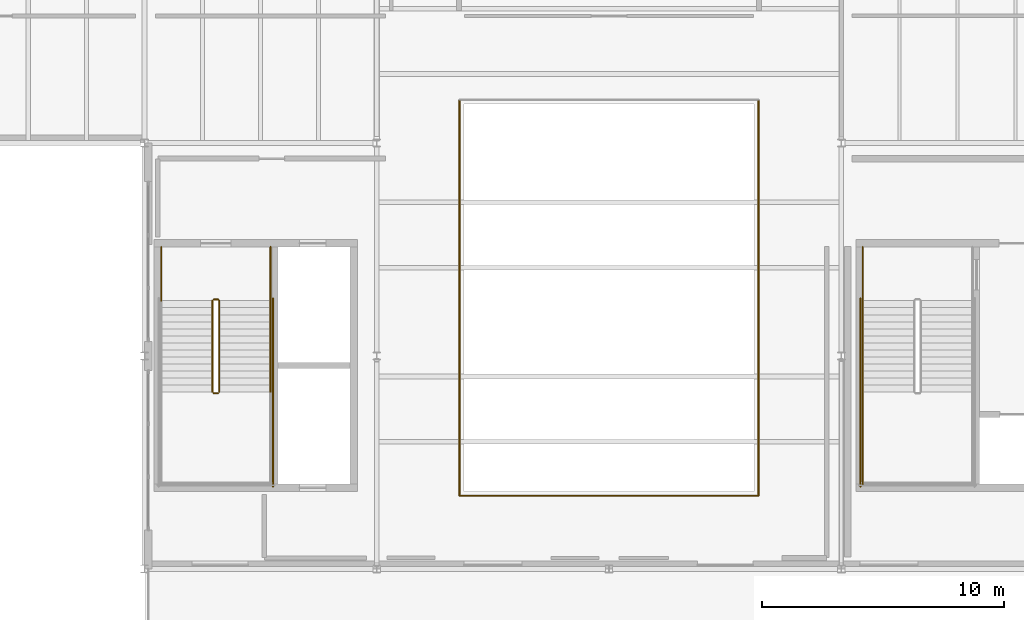
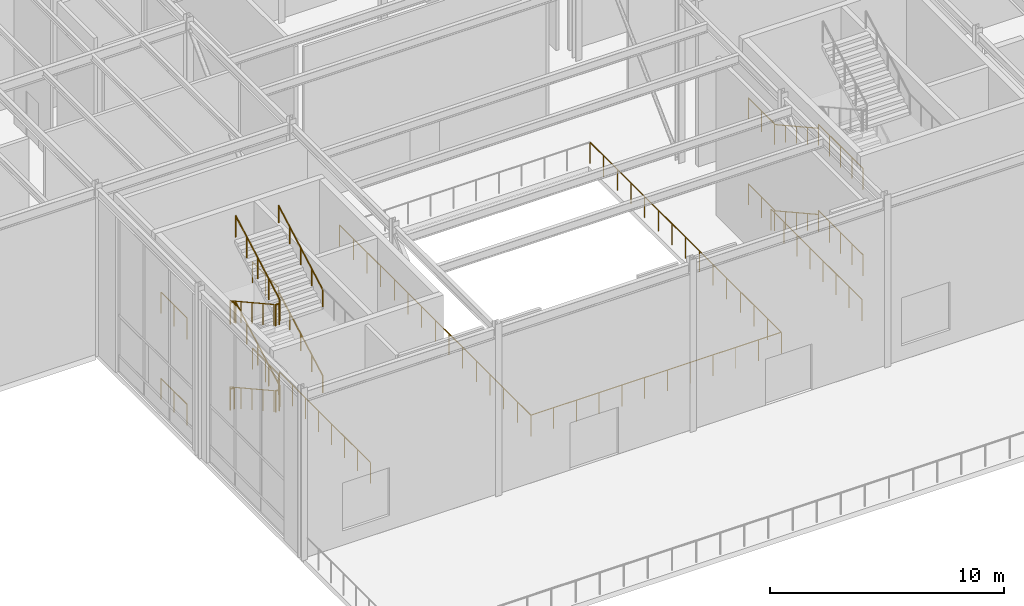
# One storey, part 43 of 48: 25 railings.
"""IFC4 building model written with IfcOpenShell, lengths in metres."""

from ifc_helpers import new_model, si_unit, direction, frame, origin, origin_2d, place, context, subcontext, project, spatial, circle, extrude, material, layer, layer_set, type_object, element, save


model = new_model("IFC4")

# Units and contexts
model_context = context("Model", 3, precision=1e-05, world=origin(), true_north=direction((0.0, 1.0)))
body_context = subcontext(model_context, "Body", "Model", "MODEL_VIEW")
ifc_project = project(units=[si_unit("LENGTHUNIT", "METRE"), si_unit("AREAUNIT", "SQUARE_METRE"), si_unit("VOLUMEUNIT", "CUBIC_METRE"), si_unit("PLANEANGLEUNIT", "RADIAN"), si_unit("MASSUNIT", "GRAM", prefix="KILO")], contexts=[model_context])

# Site, building, storey
site_placement = place(None, origin())
site = spatial("IfcSite", under=ifc_project, at=site_placement, CompositionType="ELEMENT")
building_placement = place(site_placement, origin())
building = spatial("IfcBuilding", under=site, at=building_placement, Name="Sarnbrook Museum", CompositionType="ELEMENT")
storey_placement = place(building_placement, frame((0.0, 0.0, 19.10009765625)))
storey = spatial("IfcBuildingStorey", under=building, at=storey_placement, Name="L04", CompositionType="ELEMENT", Elevation=19.10009765625)

# Railings
ifc_material = material(Name="Brushed Stainless Steel Grade 316", Category="steel")
ifc_layer_1 = layer(ifc_material, 0.050048828125)
ifc_layer_set_1 = layer_set([ifc_layer_1], Name="Brushed Stainless Steel Grade 316")
railing_type_1 = type_object("IfcRailingType", Name="Guard_Int1120", PredefinedType="BALUSTRADE", material=ifc_layer_set_1)
railing_1_placement = place(storey_placement, frame((110.489990234375, 64.110107421875, 2.25)))
element("IfcRailing", 1, at=railing_1_placement, inside=storey, type_object=railing_type_1, Name="L04 ST1 stair guard 3", PredefinedType="BALUSTRADE", context=body_context, shape_type="SweptSolid", body=[
    extrude(circle(Radius=0.02392578125, at=origin_2d()), frame((0.0, 0.0, 1.09619140625), z_axis=(0.0, -1.0, 0.0), x_axis=(1.0, 0.0, 0.0)), (0.0, 0.0, 1.0), 3.81005859375),
    extrude(circle(Radius=0.02099609375, at=origin_2d()), origin(), (0.0, 0.0, 1.0), 1.072021484375),
    extrude(circle(Radius=0.02099609375, at=origin_2d()), frame((0.0, -0.95263671875, 0.0)), (0.0, 0.0, 1.0), 1.072021484375),
    extrude(circle(Radius=0.02099609375, at=origin_2d()), frame((0.0, -1.905029296875, 0.0)), (0.0, 0.0, 1.0), 1.072021484375),
    extrude(circle(Radius=0.02099609375, at=origin_2d()), frame((0.0, -2.857421875, 0.0)), (0.0, 0.0, 1.0), 1.072021484375),
    extrude(circle(Radius=0.02099609375, at=origin_2d()), frame((0.0, -3.81005859375, 0.0)), (0.0, 0.0, 1.0), 1.072021484375),
])
railing_2_placement = place(storey_placement, frame((110.489990234375, 70.10009765625, 4.5)))
element("IfcRailing", 2, at=railing_2_placement, inside=storey, type_object=railing_type_1, Name="L04 ST1 stair guard 8", PredefinedType="BALUSTRADE", context=body_context, shape_type="SweptSolid", body=[
    extrude(circle(Radius=0.02392578125, at=origin_2d()), frame((0.0, 0.0, 1.09619140625), z_axis=(0.0, -1.0, 0.0), x_axis=(1.0, 0.0, 0.0)), (0.0, 0.0, 1.0), 2.22021484375),
    extrude(circle(Radius=0.02099609375, at=origin_2d()), origin(), (0.0, 0.0, 1.0), 1.072021484375),
    extrude(circle(Radius=0.02099609375, at=origin_2d()), frame((0.0, -1.110107421875, 0.0)), (0.0, 0.0, 1.0), 1.072021484375),
    extrude(circle(Radius=0.02099609375, at=origin_2d()), frame((0.0, -2.22021484375, 0.0)), (0.0, 0.0, 1.0), 1.072021484375),
])
railing_3_placement = place(storey_placement, frame((110.489990234375, 64.110107421875, 6.75)))
element("IfcRailing", 3, at=railing_3_placement, inside=storey, type_object=railing_type_1, Name="L04 ST1 stair guard 12", PredefinedType="BALUSTRADE", context=body_context, shape_type="SweptSolid", body=[
    extrude(circle(Radius=0.02392578125, at=origin_2d()), frame((0.0, 0.0, 1.09619140625), z_axis=(0.0, -1.0, 0.0), x_axis=(1.0, 0.0, 0.0)), (0.0, 0.0, 1.0), 3.81005859375),
    extrude(circle(Radius=0.02099609375, at=origin_2d()), origin(), (0.0, 0.0, 1.0), 1.072021484375),
    extrude(circle(Radius=0.02099609375, at=origin_2d()), frame((0.0, -0.95263671875, 0.0)), (0.0, 0.0, 1.0), 1.072021484375),
    extrude(circle(Radius=0.02099609375, at=origin_2d()), frame((0.0, -1.905029296875, 0.0)), (0.0, 0.0, 1.0), 1.072021484375),
    extrude(circle(Radius=0.02099609375, at=origin_2d()), frame((0.0, -2.857421875, 0.0)), (0.0, 0.0, 1.0), 1.072021484375),
    extrude(circle(Radius=0.02099609375, at=origin_2d()), frame((0.0, -3.81005859375, 0.0)), (0.0, 0.0, 1.0), 1.072021484375),
])
railing_4_placement = place(storey_placement, frame((110.489990234375, 70.10009765625, 0.0)))
element("IfcRailing", 4, at=railing_4_placement, inside=storey, type_object=railing_type_1, Name="L04 ST1 stair guard 17", PredefinedType="BALUSTRADE", context=body_context, shape_type="SweptSolid", body=[
    extrude(circle(Radius=0.02392578125, at=origin_2d()), frame((0.0, 0.0, 1.09619140625), z_axis=(0.0, -1.0, 0.0), x_axis=(1.0, 0.0, 0.0)), (0.0, 0.0, 1.0), 2.22021484375),
    extrude(circle(Radius=0.02099609375, at=origin_2d()), origin(), (0.0, 0.0, 1.0), 1.072021484375),
    extrude(circle(Radius=0.02099609375, at=origin_2d()), frame((0.0, -1.110107421875, 0.0)), (0.0, 0.0, 1.0), 1.072021484375),
    extrude(circle(Radius=0.02099609375, at=origin_2d()), frame((0.0, -2.22021484375, 0.0)), (0.0, 0.0, 1.0), 1.072021484375),
])
railing_5_placement = place(storey_placement, frame((110.389892578125, 67.97998046875, 0.0)))
element("IfcRailing", 5, at=railing_5_placement, inside=storey, type_object=railing_type_1, Name="L04 ST1 stair guard 19", PredefinedType="BALUSTRADE", context=body_context, shape_type="SweptSolid", body=[
    extrude(circle(Radius=0.02392578125, at=origin_2d()), frame((0.0, 0.0, 1.09619140625), z_axis=(0.0, -1.0, 0.0), x_axis=(1.0, 0.0, 0.0)), (0.0, 0.0, 1.0), 7.780029296875),
    extrude(circle(Radius=0.02099609375, at=origin_2d()), origin(), (0.0, 0.0, 1.0), 1.072021484375),
    extrude(circle(Radius=0.02099609375, at=origin_2d()), frame((0.0, -1.111328125, 0.0)), (0.0, 0.0, 1.0), 1.072021484375),
    extrude(circle(Radius=0.02099609375, at=origin_2d()), frame((0.0, -2.222900390625, 0.0)), (0.0, 0.0, 1.0), 1.072021484375),
    extrude(circle(Radius=0.02099609375, at=origin_2d()), frame((0.0, -3.334228515625, 0.0)), (0.0, 0.0, 1.0), 1.072021484375),
    extrude(circle(Radius=0.02099609375, at=origin_2d()), frame((0.0, -4.44580078125, 0.0)), (0.0, 0.0, 1.0), 1.072021484375),
    extrude(circle(Radius=0.02099609375, at=origin_2d()), frame((0.0, -5.55712890625, 0.0)), (0.0, 0.0, 1.0), 1.072021484375),
    extrude(circle(Radius=0.02099609375, at=origin_2d()), frame((0.0, -6.668701171875, 0.0)), (0.0, 0.0, 1.0), 1.072021484375),
    extrude(circle(Radius=0.02099609375, at=origin_2d()), frame((0.0, -7.780029296875, 0.0)), (0.0, 0.0, 1.0), 1.072021484375),
])
railing_6_placement = place(storey_placement, frame((83.610107421875, 67.8798828125, 0.16064453125)))
element("IfcRailing", 6, at=railing_6_placement, inside=storey, type_object=railing_type_1, Name="L04 ST3 stair guard 1", PredefinedType="BALUSTRADE", context=body_context, shape_type="SweptSolid", body=[
    extrude(circle(Radius=0.02392578125, at=origin_2d()), frame((0.0, 0.0, 1.09619140625), z_axis=(0.0, -0.874645791573, 0.484762559697), x_axis=(1.0, 0.0, 0.0)), (0.0, 0.0, 1.0), 4.31005859375),
    extrude(circle(Radius=0.02099609375, at=origin_2d()), origin(), (0.0, 0.0, 1.0), 1.072021484375),
    extrude(circle(Radius=0.02099609375, at=origin_2d()), frame((0.0, -0.9423828125, 0.5224609375)), (0.0, 0.0, 1.0), 1.072021484375),
    extrude(circle(Radius=0.02099609375, at=origin_2d()), frame((0.0, -1.884765625, 1.044677734375)), (0.0, 0.0, 1.0), 1.072021484375),
    extrude(circle(Radius=0.02099609375, at=origin_2d()), frame((0.0, -2.827392578125, 1.56689453125)), (0.0, 0.0, 1.0), 1.072021484375),
    extrude(circle(Radius=0.02099609375, at=origin_2d()), frame((0.0, -3.769775390625, 2.08935546875)), (0.0, 0.0, 1.0), 1.072021484375),
])
railing_7_placement = place(storey_placement, frame((83.659912109375, 64.06005859375, 2.25)))
element("IfcRailing", 7, at=railing_7_placement, inside=storey, type_object=railing_type_1, Name="L04 ST3 stair guard 2", PredefinedType="BALUSTRADE", context=body_context, shape_type="SweptSolid", body=[
    extrude(circle(Radius=0.02392578125, at=origin_2d()), frame((0.0, 0.0, 1.09619140625), z_axis=(1.0, 0.0, 0.0), x_axis=(0.0, 1.0, 0.0)), (0.0, 0.0, 1.0), 0.18017578125),
    extrude(circle(Radius=0.02099609375, at=origin_2d()), origin(), (0.0, 0.0, 1.0), 1.072021484375),
    extrude(circle(Radius=0.02099609375, at=origin_2d()), frame((0.18017578125, 0.0, 0.0)), (0.0, 0.0, 1.0), 1.072021484375),
])
railing_8_placement = place(storey_placement, frame((83.889892578125, 64.110107421875, 2.41064453125)))
element("IfcRailing", 8, at=railing_8_placement, inside=storey, type_object=railing_type_1, Name="L04 ST3 stair guard 6", PredefinedType="BALUSTRADE", context=body_context, shape_type="SweptSolid", body=[
    extrude(circle(Radius=0.02392578125, at=origin_2d()), frame((0.0, 0.0, 1.09619140625), z_axis=(0.0, 0.874645791573, 0.484762559697), x_axis=(-1.0, 0.0, 0.0)), (0.0, 0.0, 1.0), 4.31005859375),
    extrude(circle(Radius=0.02099609375, at=origin_2d()), origin(), (0.0, 0.0, 1.0), 1.072021484375),
    extrude(circle(Radius=0.02099609375, at=origin_2d()), frame((0.0, 0.9423828125, 0.5224609375)), (0.0, 0.0, 1.0), 1.072021484375),
    extrude(circle(Radius=0.02099609375, at=origin_2d()), frame((0.0, 1.884765625, 1.044677734375)), (0.0, 0.0, 1.0), 1.072021484375),
    extrude(circle(Radius=0.02099609375, at=origin_2d()), frame((0.0, 2.827392578125, 1.56689453125)), (0.0, 0.0, 1.0), 1.072021484375),
    extrude(circle(Radius=0.02099609375, at=origin_2d()), frame((0.0, 3.769775390625, 2.08935546875)), (0.0, 0.0, 1.0), 1.072021484375),
])
railing_9_placement = place(storey_placement, frame((83.659912109375, 67.929931640625, 4.5)))
element("IfcRailing", 9, at=railing_9_placement, inside=storey, type_object=railing_type_1, Name="L04 ST3 stair guard 7", PredefinedType="BALUSTRADE", context=body_context, shape_type="SweptSolid", body=[
    extrude(circle(Radius=0.02392578125, at=origin_2d()), frame((0.0, 0.0, 1.09619140625), z_axis=(1.0, 0.0, 0.0), x_axis=(0.0, 1.0, 0.0)), (0.0, 0.0, 1.0), 0.18017578125),
    extrude(circle(Radius=0.02099609375, at=origin_2d()), origin(), (0.0, 0.0, 1.0), 1.072021484375),
    extrude(circle(Radius=0.02099609375, at=origin_2d()), frame((0.18017578125, 0.0, 0.0)), (0.0, 0.0, 1.0), 1.072021484375),
])
for number, where, name in (
    (10, (81.489990234375, 70.10009765625, 4.5), "L04 ST3 stair guard 8"),
    (11, (86.010009765625, 70.10009765625, 4.5), "L04 ST3 stair guard 9"),
):
    element("IfcRailing", number, at=place(storey_placement, frame(where)), inside=storey, type_object=railing_type_1, Name=name, PredefinedType="BALUSTRADE", context=body_context, shape_type="SweptSolid", body=[
        extrude(circle(Radius=0.02392578125, at=origin_2d()), frame((0.0, 0.0, 1.09619140625), z_axis=(0.0, -1.0, 0.0), x_axis=(1.0, 0.0, 0.0)), (0.0, 0.0, 1.0), 2.22021484375),
        extrude(circle(Radius=0.02099609375, at=origin_2d()), origin(), (0.0, 0.0, 1.0), 1.072021484375),
        extrude(circle(Radius=0.02099609375, at=origin_2d()), frame((0.0, -1.110107421875, 0.0)), (0.0, 0.0, 1.0), 1.072021484375),
        extrude(circle(Radius=0.02099609375, at=origin_2d()), frame((0.0, -2.22021484375, 0.0)), (0.0, 0.0, 1.0), 1.072021484375),
    ])
railing_10_placement = place(storey_placement, frame((83.610107421875, 67.8798828125, 4.66064453125)))
element("IfcRailing", 12, at=railing_10_placement, inside=storey, type_object=railing_type_1, Name="L04 ST3 stair guard 10", PredefinedType="BALUSTRADE", context=body_context, shape_type="SweptSolid", body=[
    extrude(circle(Radius=0.02392578125, at=origin_2d()), frame((0.0, 0.0, 1.09619140625), z_axis=(0.0, -0.874645791573, 0.484762559697), x_axis=(1.0, 0.0, 0.0)), (0.0, 0.0, 1.0), 4.31005859375),
    extrude(circle(Radius=0.02099609375, at=origin_2d()), origin(), (0.0, 0.0, 1.0), 1.072021484375),
    extrude(circle(Radius=0.02099609375, at=origin_2d()), frame((0.0, -0.9423828125, 0.5224609375)), (0.0, 0.0, 1.0), 1.072021484375),
    extrude(circle(Radius=0.02099609375, at=origin_2d()), frame((0.0, -1.884765625, 1.044677734375)), (0.0, 0.0, 1.0), 1.072021484375),
    extrude(circle(Radius=0.02099609375, at=origin_2d()), frame((0.0, -2.827392578125, 1.56689453125)), (0.0, 0.0, 1.0), 1.072021484375),
    extrude(circle(Radius=0.02099609375, at=origin_2d()), frame((0.0, -3.769775390625, 2.08935546875)), (0.0, 0.0, 1.0), 1.072021484375),
])
railing_11_placement = place(storey_placement, frame((83.659912109375, 64.06005859375, 6.75)))
element("IfcRailing", 13, at=railing_11_placement, inside=storey, type_object=railing_type_1, Name="L04 ST3 stair guard 11", PredefinedType="BALUSTRADE", context=body_context, shape_type="SweptSolid", body=[
    extrude(circle(Radius=0.02392578125, at=origin_2d()), frame((0.0, 0.0, 1.09619140625), z_axis=(1.0, 0.0, 0.0), x_axis=(0.0, 1.0, 0.0)), (0.0, 0.0, 1.0), 0.18017578125),
    extrude(circle(Radius=0.02099609375, at=origin_2d()), origin(), (0.0, 0.0, 1.0), 1.072021484375),
    extrude(circle(Radius=0.02099609375, at=origin_2d()), frame((0.18017578125, 0.0, 0.0)), (0.0, 0.0, 1.0), 1.072021484375),
])
railing_12_placement = place(storey_placement, frame((83.889892578125, 64.110107421875, 6.91064453125)))
element("IfcRailing", 14, at=railing_12_placement, inside=storey, type_object=railing_type_1, Name="L04 ST3 stair guard 15", PredefinedType="BALUSTRADE", context=body_context, shape_type="SweptSolid", body=[
    extrude(circle(Radius=0.02392578125, at=origin_2d()), frame((0.0, 0.0, 1.09619140625), z_axis=(0.0, 0.874645791573, 0.484762559697), x_axis=(-1.0, 0.0, 0.0)), (0.0, 0.0, 1.0), 4.31005859375),
    extrude(circle(Radius=0.02099609375, at=origin_2d()), origin(), (0.0, 0.0, 1.0), 1.072021484375),
    extrude(circle(Radius=0.02099609375, at=origin_2d()), frame((0.0, 0.9423828125, 0.5224609375)), (0.0, 0.0, 1.0), 1.072021484375),
    extrude(circle(Radius=0.02099609375, at=origin_2d()), frame((0.0, 1.884765625, 1.044677734375)), (0.0, 0.0, 1.0), 1.072021484375),
    extrude(circle(Radius=0.02099609375, at=origin_2d()), frame((0.0, 2.827392578125, 1.56689453125)), (0.0, 0.0, 1.0), 1.072021484375),
    extrude(circle(Radius=0.02099609375, at=origin_2d()), frame((0.0, 3.769775390625, 2.08935546875)), (0.0, 0.0, 1.0), 1.072021484375),
])
railing_13_placement = place(storey_placement, frame((83.659912109375, 67.929931640625, 0.0)))
element("IfcRailing", 15, at=railing_13_placement, inside=storey, type_object=railing_type_1, Name="L04 ST3 stair guard 16", PredefinedType="BALUSTRADE", context=body_context, shape_type="SweptSolid", body=[
    extrude(circle(Radius=0.02392578125, at=origin_2d()), frame((0.0, 0.0, 1.09619140625), z_axis=(1.0, 0.0, 0.0), x_axis=(0.0, 1.0, 0.0)), (0.0, 0.0, 1.0), 0.18017578125),
    extrude(circle(Radius=0.02099609375, at=origin_2d()), origin(), (0.0, 0.0, 1.0), 1.072021484375),
    extrude(circle(Radius=0.02099609375, at=origin_2d()), frame((0.18017578125, 0.0, 0.0)), (0.0, 0.0, 1.0), 1.072021484375),
])
for number, where, name in (
    (16, (81.489990234375, 70.10009765625, 0.0), "L04 ST3 stair guard 17"),
    (17, (86.010009765625, 70.10009765625, 0.0), "L04 ST3 stair guard 18"),
):
    element("IfcRailing", number, at=place(storey_placement, frame(where)), inside=storey, type_object=railing_type_1, Name=name, PredefinedType="BALUSTRADE", context=body_context, shape_type="SweptSolid", body=[
        extrude(circle(Radius=0.02392578125, at=origin_2d()), frame((0.0, 0.0, 1.09619140625), z_axis=(0.0, -1.0, 0.0), x_axis=(1.0, 0.0, 0.0)), (0.0, 0.0, 1.0), 2.22021484375),
        extrude(circle(Radius=0.02099609375, at=origin_2d()), origin(), (0.0, 0.0, 1.0), 1.072021484375),
        extrude(circle(Radius=0.02099609375, at=origin_2d()), frame((0.0, -1.110107421875, 0.0)), (0.0, 0.0, 1.0), 1.072021484375),
        extrude(circle(Radius=0.02099609375, at=origin_2d()), frame((0.0, -2.22021484375, 0.0)), (0.0, 0.0, 1.0), 1.072021484375),
    ])
railing_14_placement = place(storey_placement, frame((86.110107421875, 67.97998046875, 0.0)))
element("IfcRailing", 18, at=railing_14_placement, inside=storey, type_object=railing_type_1, Name="L04 ST3 stair guard 20", PredefinedType="BALUSTRADE", context=body_context, shape_type="SweptSolid", body=[
    extrude(circle(Radius=0.02392578125, at=origin_2d()), frame((0.0, 0.0, 1.09619140625), z_axis=(0.0, -1.0, 0.0), x_axis=(1.0, 0.0, 0.0)), (0.0, 0.0, 1.0), 7.780029296875),
    extrude(circle(Radius=0.02099609375, at=origin_2d()), origin(), (0.0, 0.0, 1.0), 1.072021484375),
    extrude(circle(Radius=0.02099609375, at=origin_2d()), frame((0.0, -1.111328125, 0.0)), (0.0, 0.0, 1.0), 1.072021484375),
    extrude(circle(Radius=0.02099609375, at=origin_2d()), frame((0.0, -2.222900390625, 0.0)), (0.0, 0.0, 1.0), 1.072021484375),
    extrude(circle(Radius=0.02099609375, at=origin_2d()), frame((0.0, -3.334228515625, 0.0)), (0.0, 0.0, 1.0), 1.072021484375),
    extrude(circle(Radius=0.02099609375, at=origin_2d()), frame((0.0, -4.44580078125, 0.0)), (0.0, 0.0, 1.0), 1.072021484375),
    extrude(circle(Radius=0.02099609375, at=origin_2d()), frame((0.0, -5.55712890625, 0.0)), (0.0, 0.0, 1.0), 1.072021484375),
    extrude(circle(Radius=0.02099609375, at=origin_2d()), frame((0.0, -6.668701171875, 0.0)), (0.0, 0.0, 1.0), 1.072021484375),
    extrude(circle(Radius=0.02099609375, at=origin_2d()), frame((0.0, -7.780029296875, 0.0)), (0.0, 0.0, 1.0), 1.072021484375),
])
railing_15_placement = place(storey_placement, frame((93.820068359375, 59.820068359375, 0.0)))
element("IfcRailing", 19, at=railing_15_placement, inside=storey, type_object=railing_type_1, Name="Atrium Gallery Balustrade L04-1", PredefinedType="BALUSTRADE", context=body_context, shape_type="SweptSolid", body=[
    extrude(circle(Radius=0.02392578125, at=origin_2d()), frame((0.0, 0.0, 1.09619140625), z_axis=(1.0, 0.0, 0.0), x_axis=(0.0, 1.0, 0.0)), (0.0, 0.0, 1.0), 12.35986328125),
    extrude(circle(Radius=0.02099609375, at=origin_2d()), origin(), (0.0, 0.0, 1.0), 1.072021484375),
    extrude(circle(Radius=0.02099609375, at=origin_2d()), frame((1.12353515625, 0.0, 0.0)), (0.0, 0.0, 1.0), 1.072021484375),
    extrude(circle(Radius=0.02099609375, at=origin_2d()), frame((2.247314453125, 0.0, 0.0)), (0.0, 0.0, 1.0), 1.072021484375),
    extrude(circle(Radius=0.02099609375, at=origin_2d()), frame((3.370849609375, 0.0, 0.0)), (0.0, 0.0, 1.0), 1.072021484375),
    extrude(circle(Radius=0.02099609375, at=origin_2d()), frame((4.494384765625, 0.0, 0.0)), (0.0, 0.0, 1.0), 1.072021484375),
    extrude(circle(Radius=0.02099609375, at=origin_2d()), frame((5.6181640625, 0.0, 0.0)), (0.0, 0.0, 1.0), 1.072021484375),
    extrude(circle(Radius=0.02099609375, at=origin_2d()), frame((6.74169921875, 0.0, 0.0)), (0.0, 0.0, 1.0), 1.072021484375),
    extrude(circle(Radius=0.02099609375, at=origin_2d()), frame((7.865478515625, 0.0, 0.0)), (0.0, 0.0, 1.0), 1.072021484375),
    extrude(circle(Radius=0.02099609375, at=origin_2d()), frame((8.989013671875, 0.0, 0.0)), (0.0, 0.0, 1.0), 1.072021484375),
    extrude(circle(Radius=0.02099609375, at=origin_2d()), frame((10.112548828125, 0.0, 0.0)), (0.0, 0.0, 1.0), 1.072021484375),
    extrude(circle(Radius=0.02099609375, at=origin_2d()), frame((11.236328125, 0.0, 0.0)), (0.0, 0.0, 1.0), 1.072021484375),
    extrude(circle(Radius=0.02099609375, at=origin_2d()), frame((12.35986328125, 0.0, 0.0)), (0.0, 0.0, 1.0), 1.072021484375),
])
railing_16_placement = place(storey_placement, frame((106.179931640625, 59.820068359375, 0.0)))
element("IfcRailing", 20, at=railing_16_placement, inside=storey, type_object=railing_type_1, Name="Atrium Gallery Balustrade L04-2", PredefinedType="BALUSTRADE", context=body_context, shape_type="SweptSolid", body=[
    extrude(circle(Radius=0.02392578125, at=origin_2d()), frame((0.0, 0.0, 1.09619140625), z_axis=(0.0, 1.0, 0.0), x_axis=(-1.0, 0.0, 0.0)), (0.0, 0.0, 1.0), 16.35986328125),
    extrude(circle(Radius=0.02099609375, at=origin_2d()), origin(), (0.0, 0.0, 1.0), 1.072021484375),
    extrude(circle(Radius=0.02099609375, at=origin_2d()), frame((0.0, 1.16845703125, 0.0)), (0.0, 0.0, 1.0), 1.072021484375),
    extrude(circle(Radius=0.02099609375, at=origin_2d()), frame((0.0, 2.337158203125, 0.0)), (0.0, 0.0, 1.0), 1.072021484375),
    extrude(circle(Radius=0.02099609375, at=origin_2d()), frame((0.0, 3.505615234375, 0.0)), (0.0, 0.0, 1.0), 1.072021484375),
    extrude(circle(Radius=0.02099609375, at=origin_2d()), frame((0.0, 4.67431640625, 0.0)), (0.0, 0.0, 1.0), 1.072021484375),
    extrude(circle(Radius=0.02099609375, at=origin_2d()), frame((0.0, 5.8427734375, 0.0)), (0.0, 0.0, 1.0), 1.072021484375),
    extrude(circle(Radius=0.02099609375, at=origin_2d()), frame((0.0, 7.011474609375, 0.0)), (0.0, 0.0, 1.0), 1.072021484375),
    extrude(circle(Radius=0.02099609375, at=origin_2d()), frame((0.0, 8.179931640625, 0.0)), (0.0, 0.0, 1.0), 1.072021484375),
    extrude(circle(Radius=0.02099609375, at=origin_2d()), frame((0.0, 9.348388671875, 0.0)), (0.0, 0.0, 1.0), 1.072021484375),
    extrude(circle(Radius=0.02099609375, at=origin_2d()), frame((0.0, 10.51708984375, 0.0)), (0.0, 0.0, 1.0), 1.072021484375),
    extrude(circle(Radius=0.02099609375, at=origin_2d()), frame((0.0, 11.685546875, 0.0)), (0.0, 0.0, 1.0), 1.072021484375),
    extrude(circle(Radius=0.02099609375, at=origin_2d()), frame((0.0, 12.854248046875, 0.0)), (0.0, 0.0, 1.0), 1.072021484375),
    extrude(circle(Radius=0.02099609375, at=origin_2d()), frame((0.0, 14.022705078125, 0.0)), (0.0, 0.0, 1.0), 1.072021484375),
    extrude(circle(Radius=0.02099609375, at=origin_2d()), frame((0.0, 15.19140625, 0.0)), (0.0, 0.0, 1.0), 1.072021484375),
    extrude(circle(Radius=0.02099609375, at=origin_2d()), frame((0.0, 16.35986328125, 0.0)), (0.0, 0.0, 1.0), 1.072021484375),
])
railing_17_placement = place(storey_placement, frame((93.820068359375, 76.179931640625, 0.0)))
element("IfcRailing", 21, at=railing_17_placement, inside=storey, type_object=railing_type_1, Name="Atrium Gallery Balustrade L04-4", PredefinedType="BALUSTRADE", context=body_context, shape_type="SweptSolid", body=[
    extrude(circle(Radius=0.02392578125, at=origin_2d()), frame((0.0, 0.0, 1.09619140625), z_axis=(0.0, -1.0, 0.0), x_axis=(1.0, 0.0, 0.0)), (0.0, 0.0, 1.0), 16.35986328125),
    extrude(circle(Radius=0.02099609375, at=origin_2d()), origin(), (0.0, 0.0, 1.0), 1.072021484375),
    extrude(circle(Radius=0.02099609375, at=origin_2d()), frame((0.0, -1.16845703125, 0.0)), (0.0, 0.0, 1.0), 1.072021484375),
    extrude(circle(Radius=0.02099609375, at=origin_2d()), frame((0.0, -2.337158203125, 0.0)), (0.0, 0.0, 1.0), 1.072021484375),
    extrude(circle(Radius=0.02099609375, at=origin_2d()), frame((0.0, -3.505615234375, 0.0)), (0.0, 0.0, 1.0), 1.072021484375),
    extrude(circle(Radius=0.02099609375, at=origin_2d()), frame((0.0, -4.67431640625, 0.0)), (0.0, 0.0, 1.0), 1.072021484375),
    extrude(circle(Radius=0.02099609375, at=origin_2d()), frame((0.0, -5.8427734375, 0.0)), (0.0, 0.0, 1.0), 1.072021484375),
    extrude(circle(Radius=0.02099609375, at=origin_2d()), frame((0.0, -7.011474609375, 0.0)), (0.0, 0.0, 1.0), 1.072021484375),
    extrude(circle(Radius=0.02099609375, at=origin_2d()), frame((0.0, -8.179931640625, 0.0)), (0.0, 0.0, 1.0), 1.072021484375),
    extrude(circle(Radius=0.02099609375, at=origin_2d()), frame((0.0, -9.348388671875, 0.0)), (0.0, 0.0, 1.0), 1.072021484375),
    extrude(circle(Radius=0.02099609375, at=origin_2d()), frame((0.0, -10.51708984375, 0.0)), (0.0, 0.0, 1.0), 1.072021484375),
    extrude(circle(Radius=0.02099609375, at=origin_2d()), frame((0.0, -11.685546875, 0.0)), (0.0, 0.0, 1.0), 1.072021484375),
    extrude(circle(Radius=0.02099609375, at=origin_2d()), frame((0.0, -12.854248046875, 0.0)), (0.0, 0.0, 1.0), 1.072021484375),
    extrude(circle(Radius=0.02099609375, at=origin_2d()), frame((0.0, -14.022705078125, 0.0)), (0.0, 0.0, 1.0), 1.072021484375),
    extrude(circle(Radius=0.02099609375, at=origin_2d()), frame((0.0, -15.19140625, 0.0)), (0.0, 0.0, 1.0), 1.072021484375),
    extrude(circle(Radius=0.02099609375, at=origin_2d()), frame((0.0, -16.35986328125, 0.0)), (0.0, 0.0, 1.0), 1.072021484375),
])
ifc_layer_2 = layer(ifc_material, 0.048095703125)
ifc_layer_set_2 = layer_set([ifc_layer_2], Name="Brushed Stainless Steel Grade 316")
railing_type_2 = type_object("IfcRailingType", Name="Handrail_920", PredefinedType="HANDRAIL", material=ifc_layer_set_2)
for number, where, name in (
    (22, (110.489990234375, 67.8798828125, 0.16064453125), "L04 ST1 stair handrail 1"),
    (23, (110.489990234375, 67.8798828125, 4.66064453125), "L04 ST1 stair handrail 3"),
):
    element("IfcRailing", number, at=place(storey_placement, frame(where)), inside=storey, type_object=railing_type_2, Name=name, PredefinedType="HANDRAIL", context=body_context, shape_type="SweptSolid", body=[
        extrude(circle(Radius=0.02392578125, at=origin_2d()), frame((0.0, 0.0, 0.8857421875), z_axis=(0.0, -0.874645791573, 0.484762559697), x_axis=(1.0, 0.0, 0.0)), (0.0, 0.0, 1.0), 4.31005859375),
        extrude(circle(Radius=0.02099609375, at=origin_2d()), origin(), (0.0, 0.0, 1.0), 0.86181640625),
        extrude(circle(Radius=0.02099609375, at=origin_2d()), frame((0.0, -0.9423828125, 0.5224609375)), (0.0, 0.0, 1.0), 0.86181640625),
        extrude(circle(Radius=0.02099609375, at=origin_2d()), frame((0.0, -1.884765625, 1.044677734375)), (0.0, 0.0, 1.0), 0.86181640625),
        extrude(circle(Radius=0.02099609375, at=origin_2d()), frame((0.0, -2.827392578125, 1.56689453125)), (0.0, 0.0, 1.0), 0.86181640625),
        extrude(circle(Radius=0.02099609375, at=origin_2d()), frame((0.0, -3.769775390625, 2.08935546875)), (0.0, 0.0, 1.0), 0.86181640625),
    ])
for number, where, name in (
    (24, (86.010009765625, 64.110107421875, 2.41064453125), "L04 ST3 stair handrail 2"),
    (25, (86.010009765625, 64.110107421875, 6.91064453125), "L04 ST3 stair handrail 4"),
):
    element("IfcRailing", number, at=place(storey_placement, frame(where)), inside=storey, type_object=railing_type_2, Name=name, PredefinedType="HANDRAIL", context=body_context, shape_type="SweptSolid", body=[
        extrude(circle(Radius=0.02392578125, at=origin_2d()), frame((0.0, 0.0, 0.8857421875), z_axis=(0.0, 0.874645791573, 0.484762559697), x_axis=(-1.0, 0.0, 0.0)), (0.0, 0.0, 1.0), 4.31005859375),
        extrude(circle(Radius=0.02099609375, at=origin_2d()), origin(), (0.0, 0.0, 1.0), 0.86181640625),
        extrude(circle(Radius=0.02099609375, at=origin_2d()), frame((0.0, 0.9423828125, 0.5224609375)), (0.0, 0.0, 1.0), 0.86181640625),
        extrude(circle(Radius=0.02099609375, at=origin_2d()), frame((0.0, 1.884765625, 1.044677734375)), (0.0, 0.0, 1.0), 0.86181640625),
        extrude(circle(Radius=0.02099609375, at=origin_2d()), frame((0.0, 2.827392578125, 1.56689453125)), (0.0, 0.0, 1.0), 0.86181640625),
        extrude(circle(Radius=0.02099609375, at=origin_2d()), frame((0.0, 3.769775390625, 2.08935546875)), (0.0, 0.0, 1.0), 0.86181640625),
    ])

save(model, "model.ifc")
